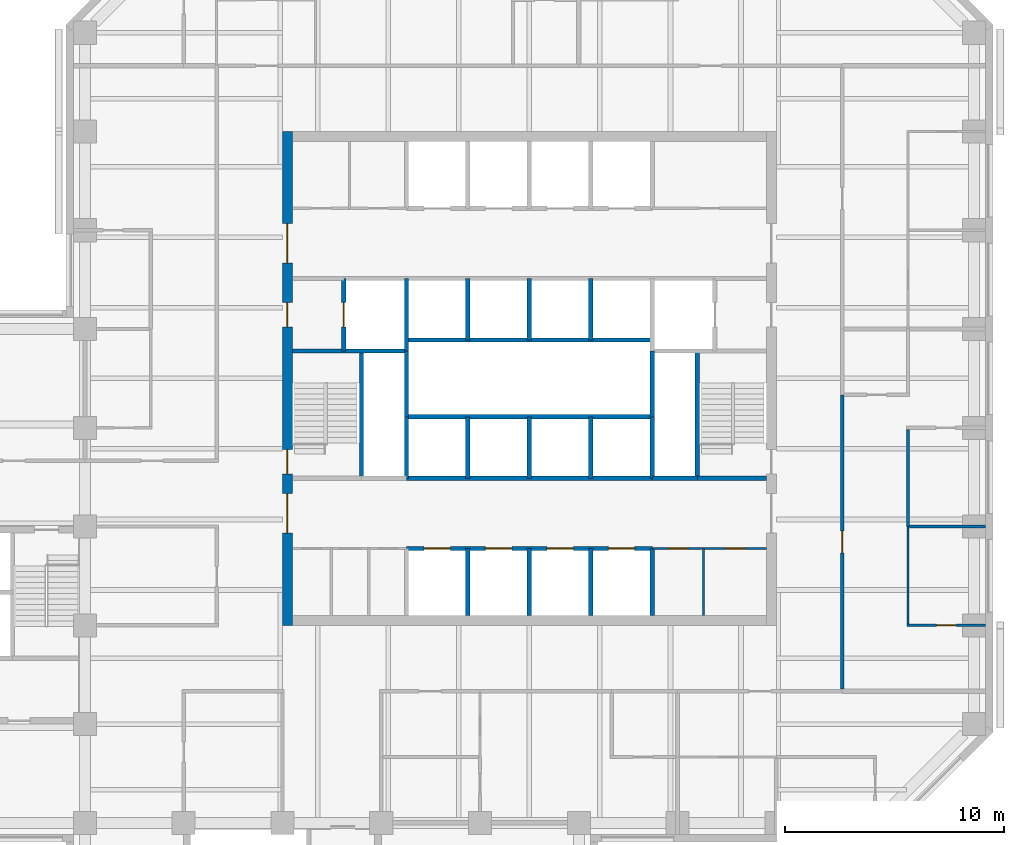
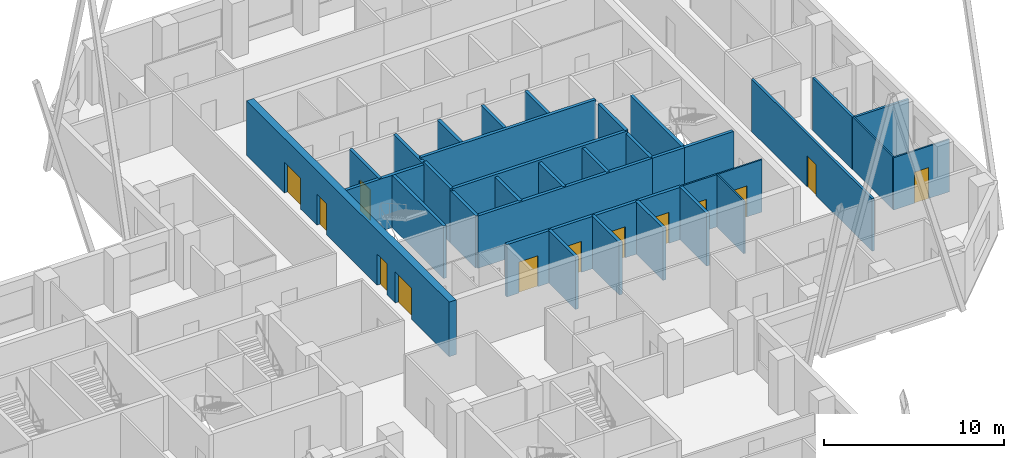
# One storey, part 7 of 11: 33 walls, 13 doors, 13 openings.
"""IFC4 building model written with IfcOpenShell, lengths in metres."""

import ifcopenshell
import ifcopenshell.guid

model = None  # the IFC model being written
_history = None  # IfcOwnerHistory: only IFC2X3 demands one
_inside = {}  # id of a spatial element -> (the spatial element, [elements in it])
_under = {}  # id of a project, library or spatial element -> (it, [spatial elements below it])
_declared = {}  # id of a project -> (the project, [libraries it declares])
_typed = {}  # id of a type object -> (the type object, [elements of that type])
_made_of = {}  # id of a material, layer set ... -> (it, [elements and type objects made of it])


def new_model(schema):
    """Start an empty IFC model of exactly this schema.

    Asked for "IFC4X3", IfcOpenShell would pick the latest addendum, in which some entities
    have other attributes; the version numbers below select the first issue.
    IFC2X3 requires an IfcOwnerHistory on every rooted entity: one is made here for all.
    """
    global model, _history
    if schema == "IFC4X3":
        model = ifcopenshell.file(schema_version=(4, 3, 0, 0))
    else:
        model = ifcopenshell.file(schema=schema)
    _inside.clear()
    _under.clear()
    _declared.clear()
    _typed.clear()
    _made_of.clear()
    _history = None
    if model.schema == "IFC2X3":
        org = make("IfcOrganization", Name="unknown")
        user = make(
            "IfcPersonAndOrganization",
            ThePerson=make("IfcPerson", FamilyName="unknown"),
            TheOrganization=org,
        )
        app = make(
            "IfcApplication",
            ApplicationDeveloper=org,
            Version="unknown",
            ApplicationFullName="unknown",
            ApplicationIdentifier="unknown",
        )
        _history = make(
            "IfcOwnerHistory",
            OwningUser=user,
            OwningApplication=app,
            ChangeAction="ADDED",
            CreationDate=0,
        )
    return model


def make(cls, **values):
    """One entity of the class cls with the attributes given. An attribute that is None is left unset."""
    return model.create_entity(
        cls, **{name: value for name, value in values.items() if value is not None}
    )


def rooted(cls, **values):
    """An entity with a GlobalId (a new one), such as an element, a storey or a relation."""
    return make(cls, GlobalId=ifcopenshell.guid.new(), OwnerHistory=_history, **values)


def si_unit(unit_type, name, prefix=None):
    """IfcSIUnit, for example si_unit("LENGTHUNIT", "METRE", prefix="MILLI")."""
    return make("IfcSIUnit", UnitType=unit_type, Prefix=prefix, Name=name)


def assignment(units):
    """IfcUnitAssignment: the units of a project."""
    return None if units is None else make("IfcUnitAssignment", Units=units)


def point(xyz):
    """IfcCartesianPoint."""
    return None if xyz is None else make("IfcCartesianPoint", Coordinates=xyz)


def direction(xyz):
    """IfcDirection."""
    return None if xyz is None else make("IfcDirection", DirectionRatios=xyz)


def frame(location, z_axis=None, x_axis=None):
    """IfcAxis2Placement3D, a coordinate frame: its origin and axes. An axis left out is left unset."""
    return make(
        "IfcAxis2Placement3D",
        Location=point(location),
        Axis=direction(z_axis),
        RefDirection=direction(x_axis),
    )


def frame_2d(location, x_axis=None):
    """IfcAxis2Placement2D, a coordinate frame in the plane: its origin and x axis."""
    return make(
        "IfcAxis2Placement2D", Location=point(location), RefDirection=direction(x_axis)
    )


def origin():
    """The frame at (0, 0, 0) with its axes left unset."""
    return frame((0.0, 0.0, 0.0))


def place(relative_to, where):
    """IfcLocalPlacement: puts the frame where relative to a parent placement (None: the world)."""
    return make(
        "IfcLocalPlacement", PlacementRelTo=relative_to, RelativePlacement=where
    )


def context(
    kind, dimensions, precision=None, world=None, true_north=None, identifier=None
):
    """IfcGeometricRepresentationContext, for example the 3D "Model" context."""
    return make(
        "IfcGeometricRepresentationContext",
        ContextIdentifier=identifier,
        ContextType=kind,
        CoordinateSpaceDimension=dimensions,
        Precision=precision,
        WorldCoordinateSystem=world,
        TrueNorth=true_north,
    )


def subcontext(parent, identifier, kind, view, scale=None):
    """IfcGeometricRepresentationSubContext, for example "Body" below "Model"."""
    return make(
        "IfcGeometricRepresentationSubContext",
        ContextIdentifier=identifier,
        ContextType=kind,
        ParentContext=parent,
        TargetScale=scale,
        TargetView=view,
    )


def project(units=None, contexts=None):
    """IfcProject with its units and contexts."""
    return rooted(
        "IfcProject",
        Name="project",
        RepresentationContexts=contexts,
        UnitsInContext=assignment(units),
    )


def spatial(cls, under=None, at=None, **own):
    """A site, building, storey or space (cls), placed at a placement, below another one or the project."""
    s = rooted(cls, ObjectPlacement=at, **own)
    if under is not None:
        _under.setdefault(under.id(), (under, []))[1].append(s)
    return s


def profile(cls, at=None, kind="AREA", **sizes):
    """A parametric profile (cls). Its sizes go by their IFC names, for example OverallWidth=200.0."""
    return make(cls, ProfileType=kind, Position=at, **sizes)


def rectangle(**sizes):
    """IfcRectangleProfileDef."""
    return profile("IfcRectangleProfileDef", **sizes)


def extrude(swept, where, along, depth):
    """IfcExtrudedAreaSolid: the profile swept, set in the frame where, extruded along a direction by depth."""
    return make(
        "IfcExtrudedAreaSolid",
        SweptArea=swept,
        Position=where,
        ExtrudedDirection=direction(along),
        Depth=depth,
    )


def shape(context_of_items, identifier, shape_type, items):
    """IfcShapeRepresentation: the items that make up one representation, for example the "Body"."""
    return make(
        "IfcShapeRepresentation",
        ContextOfItems=context_of_items,
        RepresentationIdentifier=identifier,
        RepresentationType=shape_type,
        Items=items,
    )


def material(Name=None, Category=None):
    """IfcMaterial."""
    return make("IfcMaterial", Name=Name, Category=Category)


def layer(
    of_material, thickness, ventilated=None, Name=None, Category=None, Priority=None
):
    """IfcMaterialLayer: one layer of a wall or slab, of a material (None: an air gap)."""
    return make(
        "IfcMaterialLayer",
        Material=of_material,
        LayerThickness=thickness,
        IsVentilated=ventilated,
        Name=Name,
        Category=Category,
        Priority=Priority,
    )


def layer_set(layers, Name=None):
    """IfcMaterialLayerSet."""
    return make("IfcMaterialLayerSet", MaterialLayers=layers, LayerSetName=Name)


def made_of(thing, what):
    """Note that an element or type object is made of a material, layer set ...; save() writes the relation."""
    if what is not None:
        _made_of.setdefault(what.id(), (what, []))[1].append(thing)
    return thing


def type_object(cls, material=None, **own):
    """A type object (cls), such as IfcWallType, which elements share."""
    return made_of(rooted(cls, **own), material)


def element(
    cls,
    number,
    at=None,
    inside=None,
    cuts=None,
    type_object=None,
    material=None,
    context=None,
    identifier="Body",
    shape_type=None,
    held_by="IfcProductDefinitionShape",
    body=None,
    shapes=None,
    **own,
):
    """One element of the class cls, such as IfcWall. Its Tag is "e" and its number.

    at: its placement. inside: the storey or other place that contains it. cuts: it is an
    opening in that element (IfcRelVoidsElement). A single representation is given by context,
    identifier, shape_type and body (its items); several are given by shapes. held_by: the class
    of the entity that holds the representations. save() writes the other relations.
    """
    e = rooted(cls, Tag="e%d" % number, ObjectPlacement=at, **own)
    if body is not None:
        shapes = [shape(context, identifier, shape_type, body)]
    if shapes is not None:
        e.Representation = make(held_by, Representations=shapes)
    if inside is not None:
        _inside.setdefault(inside.id(), (inside, []))[1].append(e)
    if cuts is not None:
        rooted(
            "IfcRelVoidsElement", RelatingBuildingElement=cuts, RelatedOpeningElement=e
        )
    if type_object is not None:
        _typed.setdefault(type_object.id(), (type_object, []))[1].append(e)
    return made_of(e, material)


def fill(opening, filler):
    """IfcRelFillsElement: the door or window that sits in an opening."""
    return rooted(
        "IfcRelFillsElement",
        RelatingOpeningElement=opening,
        RelatedBuildingElement=filler,
    )


def aggregate(whole, parts):
    """IfcRelAggregates: a whole, such as a stair, and the parts it consists of."""
    return rooted("IfcRelAggregates", RelatingObject=whole, RelatedObjects=parts)


def save(model, path):
    """Write the relations noted so far, then the file.

    IfcRelAggregates (storeys below a building ...), IfcRelContainedInSpatialStructure (elements
    in a storey), IfcRelDefinesByType, IfcRelAssociatesMaterial and IfcRelDeclares: one each for
    every whole, place, type object, material and project.
    """
    for whole, parts in _under.values():
        aggregate(whole, parts)
    for where, things in _inside.values():
        rooted(
            "IfcRelContainedInSpatialStructure",
            RelatedElements=things,
            RelatingStructure=where,
        )
    for kind, things in _typed.values():
        rooted("IfcRelDefinesByType", RelatedObjects=things, RelatingType=kind)
    for what, things in _made_of.values():
        rooted("IfcRelAssociatesMaterial", RelatedObjects=things, RelatingMaterial=what)
    for by, libraries in _declared.values():
        rooted("IfcRelDeclares", RelatingContext=by, RelatedDefinitions=libraries)
    model.write(path)


model = new_model("IFC4")

# Units and contexts
model_context = context("Model", 3, precision=1e-05, world=origin(), true_north=direction((0.0, 1.0)))
body_context = subcontext(model_context, "Body", "Model", "MODEL_VIEW")
ifc_project = project(units=[si_unit("LENGTHUNIT", "METRE"), si_unit("AREAUNIT", "SQUARE_METRE"), si_unit("VOLUMEUNIT", "CUBIC_METRE"), si_unit("PLANEANGLEUNIT", "RADIAN"), si_unit("MASSUNIT", "GRAM", prefix="KILO")], contexts=[model_context])

# Site, building, storey
site_placement = place(None, origin())
site = spatial("IfcSite", under=ifc_project, at=site_placement, CompositionType="ELEMENT")
building_placement = place(site_placement, origin())
building = spatial("IfcBuilding", under=site, at=building_placement, Name="Quoin Convention Tower", CompositionType="ELEMENT")
storey_placement = place(building_placement, frame((0.0, 0.0, 127.0)))
storey = spatial("IfcBuildingStorey", under=building, at=storey_placement, Name="L33", CompositionType="ELEMENT", Elevation=127.0)

# Walls
ifc_material_1 = material(Name="Plasterboard")
ifc_layer_1 = layer(ifc_material_1, 0.012451171875, Name="Finish")
ifc_material_2 = material(Name="Steel stud framing", Category="steel")
ifc_layer_2 = layer(ifc_material_2, 0.125, Name="Structure")
ifc_layer_3 = layer(ifc_material_1, 0.012451171875, Name="Finish")
ifc_layer_set_1 = layer_set([ifc_layer_1, ifc_layer_2, ifc_layer_3], Name="Steel stud framing")
wall_type_1 = type_object("IfcWallType", Name="Acoustic partition 150", PredefinedType="PARTITIONING", material=ifc_layer_set_1)
wall_1_placement = place(storey_placement, frame((73.574951171875, 54.0, 0.0), z_axis=(0.0, 0.0, 1.0), x_axis=(1.0, 0.0, 0.0)))
element("IfcWall", 1, at=wall_1_placement, inside=storey, type_object=wall_type_1, Name="pw-L33-035", PredefinedType="PARTITIONING", context=body_context, shape_type="SweptSolid", body=[
    extrude(rectangle(XDim=3.449951171875, YDim=0.14990234375, at=frame_2d((1.72509765625, 0.0))), origin(), (0.0, 0.0, 1.0), 3.550048828125),
])
wall_2_placement = place(storey_placement, frame((73.5, 54.0, 0.0), z_axis=(0.0, 0.0, 1.0), x_axis=(0.0, 1.0, 0.0)))
element("IfcWall", 2, at=wall_2_placement, inside=storey, type_object=wall_type_1, Name="pw-L33-089", PredefinedType="PARTITIONING", context=body_context, shape_type="SweptSolid", body=[
    extrude(rectangle(XDim=4.425048828125, YDim=0.14990234375, at=frame_2d((2.21240234375, 0.0))), origin(), (0.0, 0.0, 1.0), 3.550048828125),
])

# Wall, openings, doors
ifc_layer_4 = layer(ifc_material_1, 0.012451171875, Name="Finish")
ifc_layer_5 = layer(ifc_material_2, 0.074951171875, Name="Structure")
ifc_layer_6 = layer(ifc_material_1, 0.012451171875, Name="Finish")
ifc_layer_set_2 = layer_set([ifc_layer_4, ifc_layer_5, ifc_layer_6], Name="Steel stud framing")
wall_type_2 = type_object("IfcWallType", Name="Core partition wall", PredefinedType="PARTITIONING", material=ifc_layer_set_2)
wall_3_placement = place(storey_placement, frame((61.85009765625, 53.0, 0.0), z_axis=(0.0, 0.0, 1.0), x_axis=(1.0, 0.0, 0.0)))
wall_3 = element("IfcWall", 3, at=wall_3_placement, inside=storey, type_object=wall_type_2, Name="cr-C1-L33-h3500_16850", PredefinedType="PARTITIONING", context=body_context, shape_type="SweptSolid", body=[
    extrude(rectangle(XDim=5.199951171875, YDim=0.10009765625, at=frame_2d((2.60009765625, 0.0))), origin(), (0.0, 0.0, 1.0), 3.550048828125),
])
opening_1_placement = place(wall_3_placement, frame((3.320068359375, 0.0, 0.0)))
opening_1 = element("IfcOpeningElement", 4, at=opening_1_placement, cuts=wall_3, Name="Opening DCV5-23", PredefinedType="OPENING", context=body_context, shape_type="SweptSolid", body=[
    extrude(rectangle(XDim=0.89990234375, YDim=2.10009765625, at=frame_2d((0.449951171875, 1.050048828125))), frame((0.0, 0.06005859375, 0.0), z_axis=(0.0, -1.0, 0.0), x_axis=(1.0, 0.0, 0.0)), (0.0, 0.0, 1.0), 0.1201171875),
])
opening_2_placement = place(wall_3_placement, frame((0.719970703125, 0.0, 0.0)))
opening_2 = element("IfcOpeningElement", 5, at=opening_2_placement, cuts=wall_3, Name="Opening DCV5-21", PredefinedType="OPENING", context=body_context, shape_type="SweptSolid", body=[
    extrude(rectangle(XDim=0.89990234375, YDim=2.10009765625, at=frame_2d((0.449951171875, 1.050048828125))), frame((0.0, 0.06005859375, 0.0), z_axis=(0.0, -1.0, 0.0), x_axis=(1.0, 0.0, 0.0)), (0.0, 0.0, 1.0), 0.1201171875),
])
ifc_material_3 = material(Name="Steel door leaf", Category="steel")
door_type_1 = type_object("IfcDoorType", Name="Core room door 900 x 2100", OperationType="SINGLE_SWING_LEFT", PredefinedType="DOOR", material=ifc_material_3)
door_1_placement = place(opening_1_placement, frame((0.89990234375, 0.0, 0.0), z_axis=(0.0, 0.0, 1.0), x_axis=(-1.0, 0.0, 0.0)))
door_1 = element("IfcDoor", 6, at=door_1_placement, inside=storey, type_object=door_type_1, Name="cd-C1-L33-CSE0-lobA-CD3310", OperationType="SINGLE_SWING_LEFT", OverallHeight=2.10009765625, OverallWidth=0.89990234375, PredefinedType="DOOR", context=body_context, shape_type="SweptSolid", body=[
    extrude(rectangle(XDim=0.89990234375, YDim=2.10009765625, at=frame_2d((0.449951171875, 1.050048828125))), frame((0.0, 0.02490234375, 0.0), z_axis=(0.0, -1.0, 0.0), x_axis=(1.0, 0.0, 0.0)), (0.0, 0.0, 1.0), 0.050048828125),
])
fill(opening_1, door_1)
door_2_placement = place(opening_2_placement, frame((0.89990234375, 0.0, 0.0), z_axis=(0.0, 0.0, 1.0), x_axis=(-1.0, 0.0, 0.0)))
door_2 = element("IfcDoor", 7, at=door_2_placement, inside=storey, type_object=door_type_1, Name="cd-C1-L33-CSE1-lobA-CD3311", OperationType="SINGLE_SWING_RIGHT", OverallHeight=2.10009765625, OverallWidth=0.89990234375, PredefinedType="DOOR", context=body_context, shape_type="SweptSolid", body=[
    extrude(rectangle(XDim=0.89990234375, YDim=2.10009765625, at=frame_2d((0.449951171875, 1.050048828125))), frame((0.0, 0.02490234375, 0.0), z_axis=(0.0, -1.0, 0.0), x_axis=(1.0, 0.0, 0.0)), (0.0, 0.0, 1.0), 0.050048828125),
])
fill(opening_2, door_2)

# Wall
wall_4_placement = place(storey_placement, frame((64.18994140625, 49.949951171875, 0.0), z_axis=(0.0, 0.0, 1.0), x_axis=(0.0, 1.0, 0.0)))
element("IfcWall", 8, at=wall_4_placement, inside=storey, type_object=wall_type_2, Name="cr-C1-L33-v19190_450", PredefinedType="PARTITIONING", context=body_context, shape_type="SweptSolid", body=[
    extrude(rectangle(XDim=3.050048828125, YDim=0.10009765625, at=frame_2d((1.52490234375, 0.0))), origin(), (0.0, 0.0, 1.0), 3.550048828125),
])

# Wall, openings, doors
ifc_material_4 = material(Name="Concrete C50", Category="concrete")
ifc_layer_7 = layer(ifc_material_4, 0.199951171875)
ifc_layer_set_3 = layer_set([ifc_layer_7], Name="Concrete C50")
wall_type_3 = type_object("IfcWallType", Name="Core shaft wall", PredefinedType="SOLIDWALL", material=ifc_layer_set_3)
wall_5_placement = place(storey_placement, frame((50.64990234375, 53.0, 0.0), z_axis=(0.0, 0.0, 1.0), x_axis=(1.0, 0.0, 0.0)))
wall_5 = element("IfcWall", 9, at=wall_5_placement, inside=storey, type_object=wall_type_3, Name="cr-C1-L33-h3500_5650", PredefinedType="SOLIDWALL", context=body_context, shape_type="SweptSolid", body=[
    extrude(rectangle(XDim=11.2001953125, YDim=0.199951171875, at=frame_2d((5.60009765625, 0.0))), origin(), (0.0, 0.0, 1.0), 3.550048828125),
])
opening_3_placement = place(wall_5_placement, frame((0.800048828125, 0.0, 0.0)))
opening_3 = element("IfcOpeningElement", 10, at=opening_3_placement, cuts=wall_5, Name="Opening LDL1", PredefinedType="OPENING", context=body_context, shape_type="SweptSolid", body=[
    extrude(rectangle(XDim=1.199951171875, YDim=2.10009765625, at=frame_2d((0.60009765625, 1.050048828125))), frame((0.0, 0.10986328125, 0.0), z_axis=(0.0, -1.0, 0.0), x_axis=(1.0, 0.0, 0.0)), (0.0, 0.0, 1.0), 0.219970703125),
])
opening_4_placement = place(wall_5_placement, frame((3.60009765625, 0.0, 0.0)))
opening_4 = element("IfcOpeningElement", 11, at=opening_4_placement, cuts=wall_5, Name="Opening LDL2", PredefinedType="OPENING", context=body_context, shape_type="SweptSolid", body=[
    extrude(rectangle(XDim=1.199951171875, YDim=2.10009765625, at=frame_2d((0.60009765625, 1.050048828125))), frame((0.0, 0.10986328125, 0.0), z_axis=(0.0, -1.0, 0.0), x_axis=(1.0, 0.0, 0.0)), (0.0, 0.0, 1.0), 0.219970703125),
])
opening_5_placement = place(wall_5_placement, frame((6.39990234375, 0.0, 0.0)))
opening_5 = element("IfcOpeningElement", 12, at=opening_5_placement, cuts=wall_5, Name="Opening LDL3", PredefinedType="OPENING", context=body_context, shape_type="SweptSolid", body=[
    extrude(rectangle(XDim=1.199951171875, YDim=2.10009765625, at=frame_2d((0.60009765625, 1.050048828125))), frame((0.0, 0.10986328125, 0.0), z_axis=(0.0, -1.0, 0.0), x_axis=(1.0, 0.0, 0.0)), (0.0, 0.0, 1.0), 0.219970703125),
])
opening_6_placement = place(wall_5_placement, frame((9.199951171875, 0.0, 0.0)))
opening_6 = element("IfcOpeningElement", 13, at=opening_6_placement, cuts=wall_5, Name="Opening LDL4", PredefinedType="OPENING", context=body_context, shape_type="SweptSolid", body=[
    extrude(rectangle(XDim=1.199951171875, YDim=2.10009765625, at=frame_2d((0.60009765625, 1.050048828125))), frame((0.0, 0.10986328125, 0.0), z_axis=(0.0, -1.0, 0.0), x_axis=(1.0, 0.0, 0.0)), (0.0, 0.0, 1.0), 0.219970703125),
])
door_type_2 = type_object("IfcDoorType", Name="Lift landing door 1200 x 2100", OperationType="DOUBLE_DOOR_SLIDING", PredefinedType="DOOR", material=ifc_material_3)
door_3_placement = place(opening_3_placement, origin())
door_3 = element("IfcDoor", 14, at=door_3_placement, inside=storey, type_object=door_type_2, Name="cd-C1-L33-R10-lobA-LDL1", OperationType="DOUBLE_DOOR_SLIDING", OverallHeight=2.10009765625, OverallWidth=1.199951171875, PredefinedType="DOOR", context=body_context, shape_type="SweptSolid", body=[
    extrude(rectangle(XDim=1.199951171875, YDim=2.10009765625, at=frame_2d((0.60009765625, 1.050048828125))), frame((0.0, 0.02490234375, 0.0), z_axis=(0.0, -1.0, 0.0), x_axis=(1.0, 0.0, 0.0)), (0.0, 0.0, 1.0), 0.050048828125),
])
fill(opening_3, door_3)
door_4_placement = place(opening_4_placement, origin())
door_4 = element("IfcDoor", 15, at=door_4_placement, inside=storey, type_object=door_type_2, Name="cd-C1-L33-R11-lobA-LDL2", OperationType="DOUBLE_DOOR_SLIDING", OverallHeight=2.10009765625, OverallWidth=1.199951171875, PredefinedType="DOOR", context=body_context, shape_type="SweptSolid", body=[
    extrude(rectangle(XDim=1.199951171875, YDim=2.10009765625, at=frame_2d((0.60009765625, 1.050048828125))), frame((0.0, 0.02490234375, 0.0), z_axis=(0.0, -1.0, 0.0), x_axis=(1.0, 0.0, 0.0)), (0.0, 0.0, 1.0), 0.050048828125),
])
fill(opening_4, door_4)
door_5_placement = place(opening_5_placement, origin())
door_5 = element("IfcDoor", 16, at=door_5_placement, inside=storey, type_object=door_type_2, Name="cd-C1-L33-R12-lobA-LDL3", OperationType="DOUBLE_DOOR_SLIDING", OverallHeight=2.10009765625, OverallWidth=1.199951171875, PredefinedType="DOOR", context=body_context, shape_type="SweptSolid", body=[
    extrude(rectangle(XDim=1.199951171875, YDim=2.10009765625, at=frame_2d((0.60009765625, 1.050048828125))), frame((0.0, 0.02490234375, 0.0), z_axis=(0.0, -1.0, 0.0), x_axis=(1.0, 0.0, 0.0)), (0.0, 0.0, 1.0), 0.050048828125),
])
fill(opening_5, door_5)
door_6_placement = place(opening_6_placement, origin())
door_6 = element("IfcDoor", 17, at=door_6_placement, inside=storey, type_object=door_type_2, Name="cd-C1-L33-R13-lobA-LDL4", OperationType="DOUBLE_DOOR_SLIDING", OverallHeight=2.10009765625, OverallWidth=1.199951171875, PredefinedType="DOOR", context=body_context, shape_type="SweptSolid", body=[
    extrude(rectangle(XDim=1.199951171875, YDim=2.10009765625, at=frame_2d((0.60009765625, 1.050048828125))), frame((0.0, 0.02490234375, 0.0), z_axis=(0.0, -1.0, 0.0), x_axis=(1.0, 0.0, 0.0)), (0.0, 0.0, 1.0), 0.050048828125),
])
fill(opening_6, door_6)

# Walls
wall_6_placement = place(storey_placement, frame((61.85009765625, 56.199951171875, 0.0), z_axis=(0.0, 0.0, 1.0), x_axis=(1.0, 0.0, 0.0)))
element("IfcWall", 18, at=wall_6_placement, inside=storey, type_object=wall_type_3, Name="cr-C1-L33-h6700_16850", PredefinedType="SOLIDWALL", context=body_context, shape_type="SweptSolid", body=[
    extrude(rectangle(XDim=2.0498046875, YDim=0.199951171875, at=frame_2d((1.02490234375, 0.0))), origin(), (0.0, 0.0, 1.0), 3.550048828125),
])
wall_7_placement = place(storey_placement, frame((50.64990234375, 56.199951171875, 0.0), z_axis=(0.0, 0.0, 1.0), x_axis=(1.0, 0.0, 0.0)))
element("IfcWall", 19, at=wall_7_placement, inside=storey, type_object=wall_type_3, Name="cr-C1-L33-h6700_5650", PredefinedType="SOLIDWALL", context=body_context, shape_type="SweptSolid", body=[
    extrude(rectangle(XDim=11.2001953125, YDim=0.199951171875, at=frame_2d((5.60009765625, 0.0))), origin(), (0.0, 0.0, 1.0), 3.550048828125),
])
wall_8_placement = place(storey_placement, frame((63.89990234375, 56.199951171875, 0.0), z_axis=(0.0, 0.0, 1.0), x_axis=(1.0, 0.0, 0.0)))
element("IfcWall", 20, at=wall_8_placement, inside=storey, type_object=wall_type_3, Name="cr-C1-L33-h6700_18900", PredefinedType="SOLIDWALL", context=body_context, shape_type="SweptSolid", body=[
    extrude(rectangle(XDim=3.150146484375, YDim=0.199951171875, at=frame_2d((1.5751953125, 0.0))), origin(), (0.0, 0.0, 1.0), 3.550048828125),
])
wall_9_placement = place(storey_placement, frame((45.449951171875, 62.0, 0.0), z_axis=(0.0, 0.0, 1.0), x_axis=(1.0, 0.0, 0.0)))
element("IfcWall", 21, at=wall_9_placement, inside=storey, type_object=wall_type_3, Name="cr-C1-L33-h12500_450", PredefinedType="SOLIDWALL", context=body_context, shape_type="SweptSolid", body=[
    extrude(rectangle(XDim=5.199951171875, YDim=0.199951171875, at=frame_2d((2.60009765625, 0.0))), origin(), (0.0, 0.0, 1.0), 3.550048828125),
])

# Wall, opening, door
wall_10_placement = place(storey_placement, frame((47.800048828125, 62.0, 0.0), z_axis=(0.0, 0.0, 1.0), x_axis=(0.0, 1.0, 0.0)))
wall_10 = element("IfcWall", 22, at=wall_10_placement, inside=storey, type_object=wall_type_3, Name="cr-C1-L33-v2800_12500", PredefinedType="SOLIDWALL", context=body_context, shape_type="SweptSolid", body=[
    extrude(rectangle(XDim=3.300048828125, YDim=0.199951171875, at=frame_2d((1.64990234375, 0.0))), origin(), (0.0, 0.0, 1.0), 3.550048828125),
])
opening_7_placement = place(wall_10_placement, frame((1.10009765625, 0.0, 0.0)))
opening_7 = element("IfcOpeningElement", 23, at=opening_7_placement, cuts=wall_10, Name="Opening LDFL1", PredefinedType="OPENING", context=body_context, shape_type="SweptSolid", body=[
    extrude(rectangle(XDim=1.10009765625, YDim=2.10009765625, at=frame_2d((0.550048828125, 1.050048828125))), frame((0.0, 0.10986328125, 0.0), z_axis=(0.0, -1.0, 0.0), x_axis=(1.0, 0.0, 0.0)), (0.0, 0.0, 1.0), 0.219970703125),
])
door_type_3 = type_object("IfcDoorType", Name="Lift landing door 1100 x 2100", OperationType="DOUBLE_DOOR_SLIDING", PredefinedType="DOOR", material=ifc_material_3)
door_7_placement = place(opening_7_placement, origin())
door_7 = element("IfcDoor", 24, at=door_7_placement, inside=storey, type_object=door_type_3, Name="cd-C1-L33-FLW-FFW-LDFL1", OperationType="DOUBLE_DOOR_SLIDING", OverallHeight=2.10009765625, OverallWidth=1.10009765625, PredefinedType="DOOR", context=body_context, shape_type="SweptSolid", body=[
    extrude(rectangle(XDim=1.10009765625, YDim=2.10009765625, at=frame_2d((0.550048828125, 1.050048828125))), frame((0.0, 0.02490234375, 0.0), z_axis=(0.0, -1.0, 0.0), x_axis=(1.0, 0.0, 0.0)), (0.0, 0.0, 1.0), 0.050048828125),
])
fill(opening_7, door_7)

# Walls
wall_11_placement = place(storey_placement, frame((48.60009765625, 56.199951171875, 0.0), z_axis=(0.0, 0.0, 1.0), x_axis=(0.0, 1.0, 0.0)))
element("IfcWall", 25, at=wall_11_placement, inside=storey, type_object=wall_type_3, Name="cr-C1-L33-v3600_6700", PredefinedType="SOLIDWALL", context=body_context, shape_type="SweptSolid", body=[
    extrude(rectangle(XDim=5.800048828125, YDim=0.199951171875, at=frame_2d((2.89990234375, 0.0))), origin(), (0.0, 0.0, 1.0), 3.550048828125),
])
wall_12_placement = place(storey_placement, frame((50.64990234375, 56.199951171875, 0.0), z_axis=(0.0, 0.0, 1.0), x_axis=(0.0, 1.0, 0.0)))
element("IfcWall", 26, at=wall_12_placement, inside=storey, type_object=wall_type_3, Name="cr-C1-L33-v5650_6700", PredefinedType="SOLIDWALL", context=body_context, shape_type="SweptSolid", body=[
    extrude(rectangle(XDim=2.800048828125, YDim=0.199951171875, at=frame_2d((1.39990234375, 0.0))), origin(), (0.0, 0.0, 1.0), 3.550048828125),
])
wall_13_placement = place(storey_placement, frame((50.64990234375, 62.0, 0.0), z_axis=(0.0, 0.0, 1.0), x_axis=(0.0, 1.0, 0.0)))
element("IfcWall", 27, at=wall_13_placement, inside=storey, type_object=wall_type_3, Name="cr-C1-L33-v5650_12500", PredefinedType="SOLIDWALL", context=body_context, shape_type="SweptSolid", body=[
    extrude(rectangle(XDim=3.300048828125, YDim=0.199951171875, at=frame_2d((1.64990234375, 0.0))), origin(), (0.0, 0.0, 1.0), 3.550048828125),
])
wall_14_placement = place(storey_placement, frame((53.449951171875, 49.949951171875, 0.0), z_axis=(0.0, 0.0, 1.0), x_axis=(0.0, 1.0, 0.0)))
element("IfcWall", 28, at=wall_14_placement, inside=storey, type_object=wall_type_3, Name="cr-C1-L33-v8450_450", PredefinedType="SOLIDWALL", context=body_context, shape_type="SweptSolid", body=[
    extrude(rectangle(XDim=3.050048828125, YDim=0.199951171875, at=frame_2d((1.52490234375, 0.0))), origin(), (0.0, 0.0, 1.0), 3.550048828125),
])
for number, where, z_axis, x_axis, name in (
    (29, (53.449951171875, 56.199951171875, 0.0), (0.0, 0.0, 1.0), (0.0, 1.0, 0.0), "cr-C1-L33-v8450_6700"),
    (30, (53.449951171875, 62.5, 0.0), (0.0, 0.0, 1.0), (0.0, 1.0, 0.0), "cr-C1-L33-v8450_13000"),
):
    element("IfcWall", number, at=place(storey_placement, frame(where, z_axis=z_axis, x_axis=x_axis)), inside=storey, type_object=wall_type_3, Name=name, PredefinedType="SOLIDWALL", context=body_context, shape_type="SweptSolid", body=[
        extrude(rectangle(XDim=2.800048828125, YDim=0.199951171875, at=frame_2d((1.39990234375, 0.0))), origin(), (0.0, 0.0, 1.0), 3.550048828125),
    ])
wall_15_placement = place(storey_placement, frame((56.25, 49.949951171875, 0.0), z_axis=(0.0, 0.0, 1.0), x_axis=(0.0, 1.0, 0.0)))
element("IfcWall", 31, at=wall_15_placement, inside=storey, type_object=wall_type_3, Name="cr-C1-L33-v11250_450", PredefinedType="SOLIDWALL", context=body_context, shape_type="SweptSolid", body=[
    extrude(rectangle(XDim=3.050048828125, YDim=0.199951171875, at=frame_2d((1.52490234375, 0.0))), origin(), (0.0, 0.0, 1.0), 3.550048828125),
])
for number, where, z_axis, x_axis, name in (
    (32, (56.25, 56.199951171875, 0.0), (0.0, 0.0, 1.0), (0.0, 1.0, 0.0), "cr-C1-L33-v11250_6700"),
    (33, (56.25, 62.5, 0.0), (0.0, 0.0, 1.0), (0.0, 1.0, 0.0), "cr-C1-L33-v11250_13000"),
):
    element("IfcWall", number, at=place(storey_placement, frame(where, z_axis=z_axis, x_axis=x_axis)), inside=storey, type_object=wall_type_3, Name=name, PredefinedType="SOLIDWALL", context=body_context, shape_type="SweptSolid", body=[
        extrude(rectangle(XDim=2.800048828125, YDim=0.199951171875, at=frame_2d((1.39990234375, 0.0))), origin(), (0.0, 0.0, 1.0), 3.550048828125),
    ])
wall_16_placement = place(storey_placement, frame((59.050048828125, 49.949951171875, 0.0), z_axis=(0.0, 0.0, 1.0), x_axis=(0.0, 1.0, 0.0)))
element("IfcWall", 34, at=wall_16_placement, inside=storey, type_object=wall_type_3, Name="cr-C1-L33-v14050_450", PredefinedType="SOLIDWALL", context=body_context, shape_type="SweptSolid", body=[
    extrude(rectangle(XDim=3.050048828125, YDim=0.199951171875, at=frame_2d((1.52490234375, 0.0))), origin(), (0.0, 0.0, 1.0), 3.550048828125),
])
for number, where, z_axis, x_axis, name in (
    (35, (59.050048828125, 56.199951171875, 0.0), (0.0, 0.0, 1.0), (0.0, 1.0, 0.0), "cr-C1-L33-v14050_6700"),
    (36, (59.050048828125, 62.5, 0.0), (0.0, 0.0, 1.0), (0.0, 1.0, 0.0), "cr-C1-L33-v14050_13000"),
):
    element("IfcWall", number, at=place(storey_placement, frame(where, z_axis=z_axis, x_axis=x_axis)), inside=storey, type_object=wall_type_3, Name=name, PredefinedType="SOLIDWALL", context=body_context, shape_type="SweptSolid", body=[
        extrude(rectangle(XDim=2.800048828125, YDim=0.199951171875, at=frame_2d((1.39990234375, 0.0))), origin(), (0.0, 0.0, 1.0), 3.550048828125),
    ])
wall_17_placement = place(storey_placement, frame((61.85009765625, 49.949951171875, 0.0), z_axis=(0.0, 0.0, 1.0), x_axis=(0.0, 1.0, 0.0)))
element("IfcWall", 37, at=wall_17_placement, inside=storey, type_object=wall_type_3, Name="cr-C1-L33-v16850_450", PredefinedType="SOLIDWALL", context=body_context, shape_type="SweptSolid", body=[
    extrude(rectangle(XDim=3.050048828125, YDim=0.199951171875, at=frame_2d((1.52490234375, 0.0))), origin(), (0.0, 0.0, 1.0), 3.550048828125),
])
wall_18_placement = place(storey_placement, frame((61.85009765625, 56.199951171875, 0.0), z_axis=(0.0, 0.0, 1.0), x_axis=(0.0, 1.0, 0.0)))
element("IfcWall", 38, at=wall_18_placement, inside=storey, type_object=wall_type_3, Name="cr-C1-L33-v16850_6700", PredefinedType="SOLIDWALL", context=body_context, shape_type="SweptSolid", body=[
    extrude(rectangle(XDim=2.800048828125, YDim=0.199951171875, at=frame_2d((1.39990234375, 0.0))), origin(), (0.0, 0.0, 1.0), 3.550048828125),
])
wall_19_placement = place(storey_placement, frame((63.89990234375, 56.199951171875, 0.0), z_axis=(0.0, 0.0, 1.0), x_axis=(0.0, 1.0, 0.0)))
element("IfcWall", 39, at=wall_19_placement, inside=storey, type_object=wall_type_3, Name="cr-C1-L33-v18900_6700", PredefinedType="SOLIDWALL", context=body_context, shape_type="SweptSolid", body=[
    extrude(rectangle(XDim=5.800048828125, YDim=0.199951171875, at=frame_2d((2.89990234375, 0.0))), origin(), (0.0, 0.0, 1.0), 3.550048828125),
])
ifc_layer_8 = layer(ifc_material_4, 0.199951171875)
ifc_layer_set_4 = layer_set([ifc_layer_8], Name="Concrete C50")
wall_type_4 = type_object("IfcWallType", Name="Core shaft wall to the floor level over", PredefinedType="SOLIDWALL", material=ifc_layer_set_4)
for number, where, z_axis, x_axis, name in (
    (40, (50.64990234375, 59.0, 0.0), (0.0, 0.0, 1.0), (1.0, 0.0, 0.0), "cr-C1-L33-h9500_5650"),
    (41, (50.64990234375, 62.5, 0.0), (0.0, 0.0, 1.0), (1.0, 0.0, 0.0), "cr-C1-L33-h13000_5650"),
):
    element("IfcWall", number, at=place(storey_placement, frame(where, z_axis=z_axis, x_axis=x_axis)), inside=storey, type_object=wall_type_4, Name=name, PredefinedType="SOLIDWALL", context=body_context, shape_type="SweptSolid", body=[
        extrude(rectangle(XDim=11.2001953125, YDim=0.199951171875, at=frame_2d((5.60009765625, 0.0))), origin(), (0.0, 0.0, 1.0), 3.699951171875),
    ])
for number, where, z_axis, x_axis, name in (
    (42, (50.64990234375, 59.0, 0.0), (0.0, 0.0, 1.0), (0.0, 1.0, 0.0), "cr-C1-L33-v5650_9500"),
    (43, (61.85009765625, 59.0, 0.0), (0.0, 0.0, 1.0), (0.0, 1.0, 0.0), "cr-C1-L33-v16850_9500"),
):
    element("IfcWall", number, at=place(storey_placement, frame(where, z_axis=z_axis, x_axis=x_axis)), inside=storey, type_object=wall_type_4, Name=name, PredefinedType="SOLIDWALL", context=body_context, shape_type="SweptSolid", body=[
        extrude(rectangle(XDim=3.0, YDim=0.199951171875, at=frame_2d((1.5, 0.0))), origin(), (0.0, 0.0, 1.0), 3.699951171875),
    ])

# Wall, opening, door
ifc_layer_9 = layer(ifc_material_1, 0.012451171875, Name="Finish")
ifc_layer_10 = layer(ifc_material_2, 0.125, Name="Structure")
ifc_layer_11 = layer(ifc_material_1, 0.012451171875, Name="Finish")
ifc_layer_set_5 = layer_set([ifc_layer_9, ifc_layer_10, ifc_layer_11], Name="Steel stud framing")
wall_type_5 = type_object("IfcWallType", Name="Corridor wall 150", PredefinedType="PARTITIONING", material=ifc_layer_set_5)
wall_20_placement = place(storey_placement, frame((70.5, 46.60009765625, 0.0), z_axis=(0.0, 0.0, 1.0), x_axis=(0.0, 1.0, 0.0)))
wall_20 = element("IfcWall", 44, at=wall_20_placement, inside=storey, type_object=wall_type_5, Name="pw-L33-083", PredefinedType="PARTITIONING", context=body_context, shape_type="SweptSolid", body=[
    extrude(rectangle(XDim=13.39990234375, YDim=0.14990234375, at=frame_2d((6.699951171875, 0.0))), origin(), (0.0, 0.0, 1.0), 3.550048828125),
])
opening_8_placement = place(wall_20_placement, frame((6.199951171875, 0.0, 0.0)))
opening_8 = element("IfcOpeningElement", 45, at=opening_8_placement, cuts=wall_20, Name="Opening DOL7-31", PredefinedType="OPENING", context=body_context, shape_type="SweptSolid", body=[
    extrude(rectangle(XDim=1.0, YDim=2.10009765625, at=frame_2d((0.5, 1.050048828125))), frame((0.0, 0.0849609375, 0.0), z_axis=(0.0, -1.0, 0.0), x_axis=(1.0, 0.0, 0.0)), (0.0, 0.0, 1.0), 0.169921875),
])
door_type_4 = type_object("IfcDoorType", Name="Tenancy entrance door 1000 x 2100", OperationType="DOUBLE_DOOR_SINGLE_SWING", PredefinedType="DOOR", material=ifc_material_3)
door_8_placement = place(opening_8_placement, frame((1.0, 0.0, 0.0), z_axis=(0.0, 0.0, 1.0), x_axis=(-1.0, 0.0, 0.0)))
door_8 = element("IfcDoor", 46, at=door_8_placement, inside=storey, type_object=door_type_4, Name="dr-L33-25", OperationType="DOUBLE_DOOR_SINGLE_SWING", OverallHeight=2.10009765625, OverallWidth=1.0, PredefinedType="DOOR", context=body_context, shape_type="SweptSolid", body=[
    extrude(rectangle(XDim=1.0, YDim=2.10009765625, at=frame_2d((0.5, 1.050048828125))), frame((0.0, 0.02490234375, 0.0), z_axis=(0.0, -1.0, 0.0), x_axis=(1.0, 0.0, 0.0)), (0.0, 0.0, 1.0), 0.050048828125),
])
fill(opening_8, door_8)

# Wall, openings, doors
ifc_material_5 = material(Name="Concrete C65", Category="concrete")
ifc_layer_12 = layer(ifc_material_5, 0.449951171875)
ifc_layer_set_6 = layer_set([ifc_layer_12], Name="Concrete C65")
wall_type_6 = type_object("IfcWallType", Name="RC CORE WALL 450 C65", PredefinedType="SHEAR", material=ifc_layer_set_6)
wall_21_placement = place(storey_placement, frame((45.22509765625, 49.5, 0.0), z_axis=(0.0, 0.0, 1.0), x_axis=(0.0, 1.0, 0.0)))
wall_21 = element("IfcWall", 47, at=wall_21_placement, inside=storey, type_object=wall_type_6, Name="cwl-C1-L33-W", PredefinedType="SHEAR", context=body_context, shape_type="SweptSolid", body=[
    extrude(rectangle(XDim=22.5, YDim=0.449951171875, at=frame_2d((11.25, 0.0))), origin(), (0.0, 0.0, 1.0), 3.699951171875),
])
opening_9_placement = place(wall_21_placement, frame((4.199951171875, 0.0, 0.0)))
opening_9 = element("IfcOpeningElement", 48, at=opening_9_placement, cuts=wall_21, Name="Opening DCV5-50", PredefinedType="OPENING", context=body_context, shape_type="SweptSolid", body=[
    extrude(rectangle(XDim=1.800048828125, YDim=2.10009765625, at=frame_2d((0.89990234375, 1.050048828125))), frame((0.0, 0.23486328125, 0.0), z_axis=(0.0, -1.0, 0.0), x_axis=(1.0, 0.0, 0.0)), (0.0, 0.0, 1.0), 0.469970703125),
])
opening_10_placement = place(wall_21_placement, frame((6.89990234375, 0.0, 0.0)))
opening_10 = element("IfcOpeningElement", 49, at=opening_10_placement, cuts=wall_21, Name="Opening SD1", PredefinedType="OPENING", context=body_context, shape_type="SweptSolid", body=[
    extrude(rectangle(XDim=1.10009765625, YDim=2.10009765625, at=frame_2d((0.550048828125, 1.050048828125))), frame((0.0, 0.23486328125, 0.0), z_axis=(0.0, -1.0, 0.0), x_axis=(1.0, 0.0, 0.0)), (0.0, 0.0, 1.0), 0.469970703125),
])
opening_11_placement = place(wall_21_placement, frame((13.60009765625, 0.0, 0.0)))
opening_11 = element("IfcOpeningElement", 50, at=opening_11_placement, cuts=wall_21, Name="Opening DCV5-49", PredefinedType="OPENING", context=body_context, shape_type="SweptSolid", body=[
    extrude(rectangle(XDim=1.10009765625, YDim=2.10009765625, at=frame_2d((0.550048828125, 1.050048828125))), frame((0.0, 0.23486328125, 0.0), z_axis=(0.0, -1.0, 0.0), x_axis=(1.0, 0.0, 0.0)), (0.0, 0.0, 1.0), 0.469970703125),
])
opening_12_placement = place(wall_21_placement, frame((16.5, 0.0, 0.0)))
opening_12 = element("IfcOpeningElement", 51, at=opening_12_placement, cuts=wall_21, Name="Opening DCV5-50", PredefinedType="OPENING", context=body_context, shape_type="SweptSolid", body=[
    extrude(rectangle(XDim=1.800048828125, YDim=2.10009765625, at=frame_2d((0.89990234375, 1.050048828125))), frame((0.0, 0.23486328125, 0.0), z_axis=(0.0, -1.0, 0.0), x_axis=(1.0, 0.0, 0.0)), (0.0, 0.0, 1.0), 0.469970703125),
])
door_type_5 = type_object("IfcDoorType", Name="Fire-fighting lobby door 1100 x 2100", OperationType="SINGLE_SWING_LEFT", PredefinedType="DOOR", material=ifc_material_3)
door_9_placement = place(opening_11_placement, frame((1.10009765625, 0.0, 0.0), z_axis=(0.0, 0.0, 1.0), x_axis=(-1.0, 0.0, 0.0)))
door_9 = element("IfcDoor", 52, at=door_9_placement, inside=storey, type_object=door_type_5, Name="cd-C1-L33-FFW-W", OperationType="SINGLE_SWING_LEFT", OverallHeight=2.10009765625, OverallWidth=1.10009765625, PredefinedType="DOOR", context=body_context, shape_type="SweptSolid", body=[
    extrude(rectangle(XDim=1.10009765625, YDim=2.10009765625, at=frame_2d((0.550048828125, 1.050048828125))), frame((0.0, 0.02490234375, 0.0), z_axis=(0.0, -1.0, 0.0), x_axis=(1.0, 0.0, 0.0)), (0.0, 0.0, 1.0), 0.050048828125),
])
fill(opening_11, door_9)
door_type_6 = type_object("IfcDoorType", Name="Lift lobby door 1800 x 2100", OperationType="SINGLE_SWING_LEFT", PredefinedType="DOOR", material=ifc_material_3)
door_10_placement = place(opening_9_placement, frame((1.800048828125, 0.0, 0.0), z_axis=(0.0, 0.0, 1.0), x_axis=(-1.0, 0.0, 0.0)))
door_10 = element("IfcDoor", 53, at=door_10_placement, inside=storey, type_object=door_type_6, Name="cd-C1-L33-lobA-W", OperationType="SINGLE_SWING_LEFT", OverallHeight=2.10009765625, OverallWidth=1.800048828125, PredefinedType="DOOR", context=body_context, shape_type="SweptSolid", body=[
    extrude(rectangle(XDim=1.800048828125, YDim=2.10009765625, at=frame_2d((0.89990234375, 1.050048828125))), frame((0.0, 0.02490234375, 0.0), z_axis=(0.0, -1.0, 0.0), x_axis=(1.0, 0.0, 0.0)), (0.0, 0.0, 1.0), 0.050048828125),
])
fill(opening_9, door_10)
door_11_placement = place(opening_12_placement, frame((1.800048828125, 0.0, 0.0), z_axis=(0.0, 0.0, 1.0), x_axis=(-1.0, 0.0, 0.0)))
door_11 = element("IfcDoor", 54, at=door_11_placement, inside=storey, type_object=door_type_6, Name="cd-C1-L33-lobB-W", OperationType="SINGLE_SWING_LEFT", OverallHeight=2.10009765625, OverallWidth=1.800048828125, PredefinedType="DOOR", context=body_context, shape_type="SweptSolid", body=[
    extrude(rectangle(XDim=1.800048828125, YDim=2.10009765625, at=frame_2d((0.89990234375, 1.050048828125))), frame((0.0, 0.02490234375, 0.0), z_axis=(0.0, -1.0, 0.0), x_axis=(1.0, 0.0, 0.0)), (0.0, 0.0, 1.0), 0.050048828125),
])
fill(opening_12, door_11)
door_type_7 = type_object("IfcDoorType", Name="Stair door 1100 x 2100", OperationType="SINGLE_SWING_RIGHT", PredefinedType="DOOR", material=ifc_material_3)
door_12_placement = place(opening_10_placement, frame((1.10009765625, 0.0, 0.0), z_axis=(0.0, 0.0, 1.0), x_axis=(-1.0, 0.0, 0.0)))
door_12 = element("IfcDoor", 55, at=door_12_placement, inside=storey, type_object=door_type_7, Name="cd-C1-L33-STW-W", OperationType="SINGLE_SWING_RIGHT", OverallHeight=2.10009765625, OverallWidth=1.10009765625, PredefinedType="DOOR", context=body_context, shape_type="SweptSolid", body=[
    extrude(rectangle(XDim=1.10009765625, YDim=2.10009765625, at=frame_2d((0.550048828125, 1.050048828125))), frame((0.0, 0.02490234375, 0.0), z_axis=(0.0, -1.0, 0.0), x_axis=(1.0, 0.0, 0.0)), (0.0, 0.0, 1.0), 0.050048828125),
])
fill(opening_10, door_12)

# Wall, opening, door
ifc_layer_13 = layer(ifc_material_1, 0.012451171875, Name="Finish")
ifc_layer_14 = layer(ifc_material_2, 0.074951171875, Name="Structure")
ifc_layer_15 = layer(ifc_material_1, 0.012451171875, Name="Finish")
ifc_layer_set_7 = layer_set([ifc_layer_13, ifc_layer_14, ifc_layer_15], Name="Steel stud framing")
wall_type_7 = type_object("IfcWallType", Name="Stud partition 100", PredefinedType="PARTITIONING", material=ifc_layer_set_7)
wall_22_placement = place(storey_placement, frame((73.449951171875, 49.5, 0.0), z_axis=(0.0, 0.0, 1.0), x_axis=(1.0, 0.0, 0.0)))
wall_22 = element("IfcWall", 56, at=wall_22_placement, inside=storey, type_object=wall_type_7, Name="pw-L33-032", PredefinedType="PARTITIONING", context=body_context, shape_type="SweptSolid", body=[
    extrude(rectangle(XDim=3.574951171875, YDim=0.10009765625, at=frame_2d((1.78759765625, 0.0))), origin(), (0.0, 0.0, 1.0), 3.550048828125),
])
opening_13_placement = place(wall_22_placement, frame((1.35009765625, 0.0, 0.0)))
opening_13 = element("IfcOpeningElement", 57, at=opening_13_placement, cuts=wall_22, Name="Opening DOL7-13", PredefinedType="OPENING", context=body_context, shape_type="SweptSolid", body=[
    extrude(rectangle(XDim=0.89990234375, YDim=2.10009765625, at=frame_2d((0.449951171875, 1.050048828125))), frame((0.0, 0.06005859375, 0.0), z_axis=(0.0, -1.0, 0.0), x_axis=(1.0, 0.0, 0.0)), (0.0, 0.0, 1.0), 0.1201171875),
])
door_type_8 = type_object("IfcDoorType", Name="Office door 900 x 2100", OperationType="SINGLE_SWING_RIGHT", PredefinedType="DOOR", material=ifc_material_3)
door_13_placement = place(opening_13_placement, frame((0.89990234375, 0.0, 0.0), z_axis=(0.0, 0.0, 1.0), x_axis=(-1.0, 0.0, 0.0)))
door_13 = element("IfcDoor", 58, at=door_13_placement, inside=storey, type_object=door_type_8, Name="dr-L33-26", OperationType="SINGLE_SWING_LEFT", OverallHeight=2.10009765625, OverallWidth=0.89990234375, PredefinedType="DOOR", context=body_context, shape_type="SweptSolid", body=[
    extrude(rectangle(XDim=0.89990234375, YDim=2.10009765625, at=frame_2d((0.449951171875, 1.050048828125))), frame((0.0, 0.02490234375, 0.0), z_axis=(0.0, -1.0, 0.0), x_axis=(1.0, 0.0, 0.0)), (0.0, 0.0, 1.0), 0.050048828125),
])
fill(opening_13, door_13)

# Wall
wall_23_placement = place(storey_placement, frame((73.5, 49.550048828125, 0.0), z_axis=(0.0, 0.0, 1.0), x_axis=(0.0, 1.0, 0.0)))
element("IfcWall", 59, at=wall_23_placement, inside=storey, type_object=wall_type_7, Name="pw-L33-085", PredefinedType="PARTITIONING", context=body_context, shape_type="SweptSolid", body=[
    extrude(rectangle(XDim=4.449951171875, YDim=0.10009765625, at=frame_2d((2.22509765625, 0.0))), origin(), (0.0, 0.0, 1.0), 3.550048828125),
])

save(model, "model.ifc")
